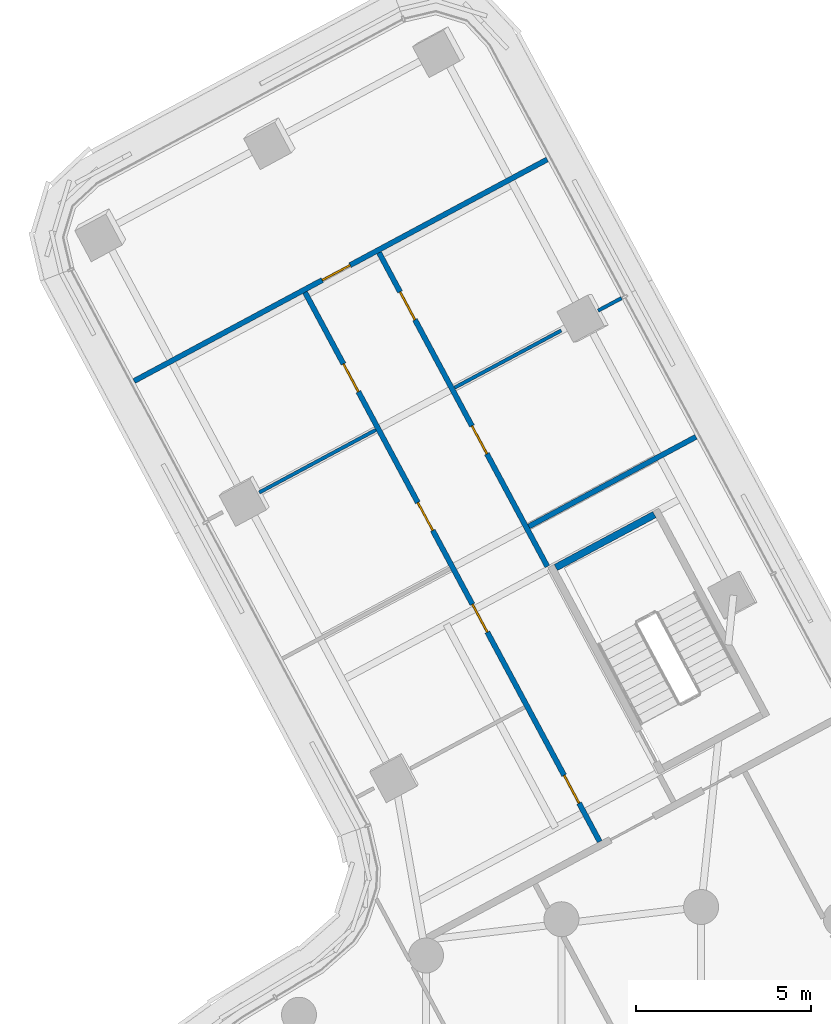
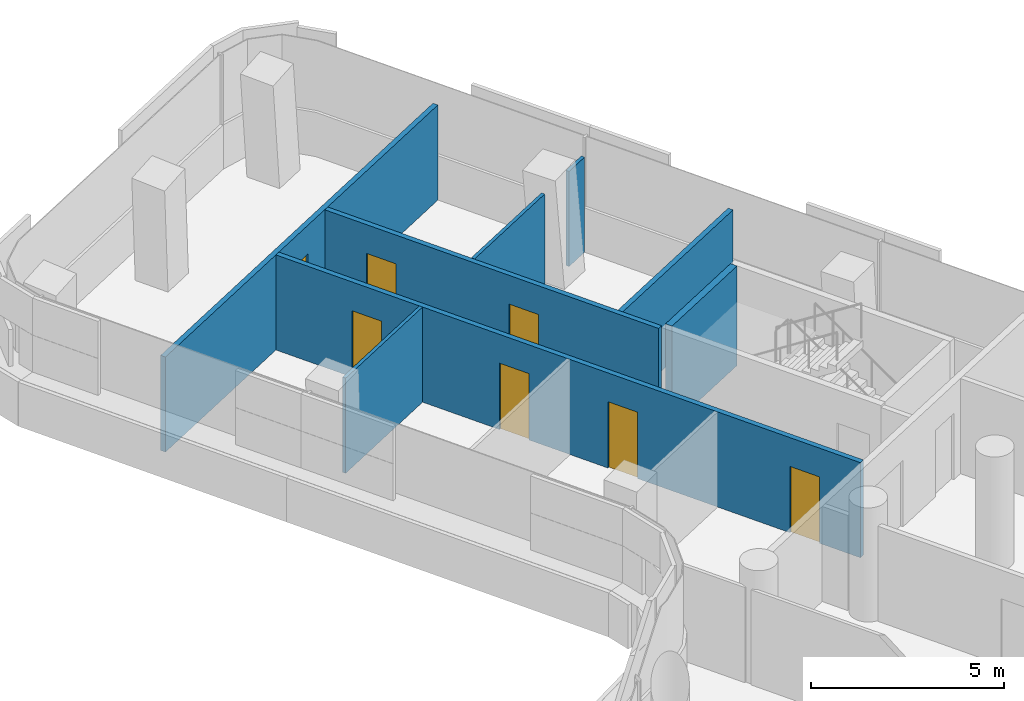
# One storey, part 23 of 33: 8 walls, 7 doors, 7 openings.
"""IFC4 building model written with IfcOpenShell, lengths in metres."""

from ifc_helpers import new_model, si_unit, direction, frame, frame_2d, origin, place, context, subcontext, project, spatial, polyline, rectangle, outline, extrude, material, layer, layer_set, type_object, element, fill, save


model = new_model("IFC4")

# Units and contexts
model_context = context("Model", 3, precision=1e-05, world=origin(), true_north=direction((0.0, 1.0)))
body_context = subcontext(model_context, "Body", "Model", "MODEL_VIEW")
ifc_project = project(units=[si_unit("LENGTHUNIT", "METRE"), si_unit("AREAUNIT", "SQUARE_METRE"), si_unit("VOLUMEUNIT", "CUBIC_METRE"), si_unit("PLANEANGLEUNIT", "RADIAN"), si_unit("MASSUNIT", "GRAM", prefix="KILO")], contexts=[model_context])

# Site, building, storey
site_placement = place(None, origin())
site = spatial("IfcSite", under=ifc_project, at=site_placement, CompositionType="ELEMENT")
building_placement = place(site_placement, origin())
building = spatial("IfcBuilding", under=site, at=building_placement, Name="Tamarind Cross Interchange Tower", CompositionType="ELEMENT")
storey_placement = place(building_placement, frame((0.0, 0.0, 136.75)))
storey = spatial("IfcBuildingStorey", under=building, at=storey_placement, Name="L33", CompositionType="ELEMENT", Elevation=136.75)

# Walls
ifc_material_1 = material(Name="Gypsum board partition on steel studs", Category="steel")
ifc_layer_1 = layer(ifc_material_1, 0.10009765625)
ifc_layer_set_1 = layer_set([ifc_layer_1], Name="Gypsum board partition on steel studs")
wall_type_1 = type_object("IfcWallType", Name="Partition 100 mm EI 90", PredefinedType="PARTITIONING", material=ifc_layer_set_1)
wall_1_placement = place(storey_placement, frame((-12.634033203125, 34.854248046875, 0.0), z_axis=(0.0, 0.0, 1.0), x_axis=(0.881172729626, 0.47279448026, 0.0)))
element("IfcWall", 1, at=wall_1_placement, inside=storey, type_object=wall_type_1, Name="Partition L33-046", PredefinedType="PARTITIONING", context=body_context, shape_type="SweptSolid", body=[
    extrude(rectangle(XDim=3.782470703125, YDim=0.10009765625, at=frame_2d((1.89111328125, 0.0))), origin(), (0.0, 0.0, 1.0), 3.010009765625),
])
wall_2_placement = place(storey_placement, frame((-7.0498046875, 37.850341796875, 0.0), z_axis=(0.0, 0.0, 1.0), x_axis=(0.881190372193, 0.472761597377, 0.0)))
element("IfcWall", 2, at=wall_2_placement, inside=storey, type_object=wall_type_1, Name="Partition L33-047", PredefinedType="PARTITIONING", context=body_context, shape_type="SweptSolid", body=[
    extrude(rectangle(XDim=3.4609375, YDim=0.10009765625, at=frame_2d((1.73046875, 0.0))), origin(), (0.0, 0.0, 1.0), 3.010009765625),
])
wall_3_placement = place(storey_placement, frame((-2.947265625, 40.051513671875, 0.0), z_axis=(0.0, 0.0, 1.0), x_axis=(0.881199268114, 0.472745015707, 0.0)))
element("IfcWall", 3, at=wall_3_placement, inside=storey, type_object=wall_type_1, Name="Partition L33-048", PredefinedType="PARTITIONING", context=body_context, shape_type="SweptSolid", body=[
    extrude(rectangle(XDim=0.76318359375, YDim=0.10009765625, at=frame_2d((0.381591796875, 0.0))), origin(), (0.0, 0.0, 1.0), 3.010009765625),
])

# Wall, openings, doors
ifc_layer_2 = layer(ifc_material_1, 0.14990234375)
ifc_layer_set_2 = layer_set([ifc_layer_2], Name="Gypsum board partition on steel studs")
wall_type_2 = type_object("IfcWallType", Name="Partition 150 mm EI 120", PredefinedType="PARTITIONING", material=ifc_layer_set_2)
wall_4_placement = place(storey_placement, frame((-11.326416015625, 40.576904296875, 0.0), z_axis=(0.0, 0.0, 1.0), x_axis=(0.472718875853, -0.881213291101, 0.0)))
wall_4 = element("IfcWall", 4, at=wall_4_placement, inside=storey, type_object=wall_type_2, Name="Partition L33-007", PredefinedType="PARTITIONING", context=body_context, shape_type="SweptSolid", body=[
    extrude(rectangle(XDim=17.82470703125, YDim=0.14990234375, at=frame_2d((8.912353515625, 0.0))), origin(), (0.0, 0.0, 1.0), 3.010009765625),
])
opening_1_placement = place(wall_4_placement, frame((15.67431640625, 0.0, 0.0)))
opening_1 = element("IfcOpeningElement", 5, at=opening_1_placement, cuts=wall_4, Name="Opening D03", PredefinedType="OPENING", context=body_context, shape_type="SweptSolid", body=[
    extrude(rectangle(XDim=0.89990234375, YDim=2.10009765625, at=frame_2d((0.449951171875, 1.050048828125))), frame((0.0, 0.0849609375, 0.0), z_axis=(0.0, -1.0, 0.0), x_axis=(1.0, 0.0, 0.0)), (0.0, 0.0, 1.0), 0.169921875),
])
opening_2_placement = place(wall_4_placement, frame((10.124755859375, 0.0, 0.0)))
opening_2 = element("IfcOpeningElement", 6, at=opening_2_placement, cuts=wall_4, Name="Opening D04", PredefinedType="OPENING", context=body_context, shape_type="SweptSolid", body=[
    extrude(rectangle(XDim=0.89990234375, YDim=2.10009765625, at=frame_2d((0.449951171875, 1.050048828125))), frame((0.0, 0.0849609375, 0.0), z_axis=(0.0, -1.0, 0.0), x_axis=(1.0, 0.0, 0.0)), (0.0, 0.0, 1.0), 0.169921875),
])
opening_3_placement = place(wall_4_placement, frame((6.824462890625, 0.0, 0.0)))
opening_3 = element("IfcOpeningElement", 7, at=opening_3_placement, cuts=wall_4, Name="Opening D05", PredefinedType="OPENING", context=body_context, shape_type="SweptSolid", body=[
    extrude(rectangle(XDim=0.89990234375, YDim=2.10009765625, at=frame_2d((0.449951171875, 1.050048828125))), frame((0.0, 0.0849609375, 0.0), z_axis=(0.0, -1.0, 0.0), x_axis=(1.0, 0.0, 0.0)), (0.0, 0.0, 1.0), 0.169921875),
])
opening_4_placement = place(wall_4_placement, frame((2.324951171875, 0.0, 0.0)))
opening_4 = element("IfcOpeningElement", 8, at=opening_4_placement, cuts=wall_4, Name="Opening D06", PredefinedType="OPENING", context=body_context, shape_type="SweptSolid", body=[
    extrude(rectangle(XDim=0.89990234375, YDim=2.10009765625, at=frame_2d((0.449951171875, 1.050048828125))), frame((0.0, 0.0849609375, 0.0), z_axis=(0.0, -1.0, 0.0), x_axis=(1.0, 0.0, 0.0)), (0.0, 0.0, 1.0), 0.169921875),
])
ifc_material_2 = material(Name="Fire-resisting door set")
door_type = type_object("IfcDoorType", Name="Interior door 900 x 2100 FD60S", OperationType="SINGLE_SWING_LEFT", PredefinedType="DOOR", material=ifc_material_2)
door_1_placement = place(opening_1_placement, frame((0.89990234375, 0.0, 0.0), z_axis=(0.0, 0.0, 1.0), x_axis=(-1.0, 0.0, 0.0)))
door_1 = element("IfcDoor", 9, at=door_1_placement, inside=storey, type_object=door_type, Name="Door D03", OperationType="SINGLE_SWING_RIGHT", OverallHeight=2.10009765625, OverallWidth=0.89990234375, PredefinedType="DOOR", context=body_context, shape_type="SweptSolid", body=[
    extrude(rectangle(XDim=0.89990234375, YDim=2.10009765625, at=frame_2d((0.449951171875, 1.050048828125))), frame((0.0, 0.02490234375, 0.0), z_axis=(0.0, -1.0, 0.0), x_axis=(1.0, 0.0, 0.0)), (0.0, 0.0, 1.0), 0.050048828125),
])
fill(opening_1, door_1)
door_2_placement = place(opening_2_placement, frame((0.89990234375, 0.0, 0.0), z_axis=(0.0, 0.0, 1.0), x_axis=(-1.0, 0.0, 0.0)))
door_2 = element("IfcDoor", 10, at=door_2_placement, inside=storey, type_object=door_type, Name="Door D04", OperationType="SINGLE_SWING_RIGHT", OverallHeight=2.10009765625, OverallWidth=0.89990234375, PredefinedType="DOOR", context=body_context, shape_type="SweptSolid", body=[
    extrude(rectangle(XDim=0.89990234375, YDim=2.10009765625, at=frame_2d((0.449951171875, 1.050048828125))), frame((0.0, 0.02490234375, 0.0), z_axis=(0.0, -1.0, 0.0), x_axis=(1.0, 0.0, 0.0)), (0.0, 0.0, 1.0), 0.050048828125),
])
fill(opening_2, door_2)
door_3_placement = place(opening_3_placement, frame((0.89990234375, 0.0, 0.0), z_axis=(0.0, 0.0, 1.0), x_axis=(-1.0, 0.0, 0.0)))
door_3 = element("IfcDoor", 11, at=door_3_placement, inside=storey, type_object=door_type, Name="Door D05", OperationType="SINGLE_SWING_LEFT", OverallHeight=2.10009765625, OverallWidth=0.89990234375, PredefinedType="DOOR", context=body_context, shape_type="SweptSolid", body=[
    extrude(rectangle(XDim=0.89990234375, YDim=2.10009765625, at=frame_2d((0.449951171875, 1.050048828125))), frame((0.0, 0.02490234375, 0.0), z_axis=(0.0, -1.0, 0.0), x_axis=(1.0, 0.0, 0.0)), (0.0, 0.0, 1.0), 0.050048828125),
])
fill(opening_3, door_3)
door_4_placement = place(opening_4_placement, frame((0.89990234375, 0.0, 0.0), z_axis=(0.0, 0.0, 1.0), x_axis=(-1.0, 0.0, 0.0)))
door_4 = element("IfcDoor", 12, at=door_4_placement, inside=storey, type_object=door_type, Name="Door D06", OperationType="SINGLE_SWING_LEFT", OverallHeight=2.10009765625, OverallWidth=0.89990234375, PredefinedType="DOOR", context=body_context, shape_type="SweptSolid", body=[
    extrude(rectangle(XDim=0.89990234375, YDim=2.10009765625, at=frame_2d((0.449951171875, 1.050048828125))), frame((0.0, 0.02490234375, 0.0), z_axis=(0.0, -1.0, 0.0), x_axis=(1.0, 0.0, 0.0)), (0.0, 0.0, 1.0), 0.050048828125),
])
fill(opening_4, door_4)

wall_5_placement = place(storey_placement, frame((-9.209228515625, 41.70751953125, 0.0), z_axis=(0.0, 0.0, 1.0), x_axis=(0.472673263757, -0.881237757775, 0.0)))
wall_5 = element("IfcWall", 13, at=wall_5_placement, inside=storey, type_object=wall_type_2, Name="Partition L33-012", PredefinedType="PARTITIONING", context=body_context, shape_type="SweptSolid", body=[
    extrude(rectangle(XDim=10.179443359375, YDim=0.14990234375, at=frame_2d((5.08984375, 0.0))), origin(), (0.0, 0.0, 1.0), 3.010009765625),
])
opening_5_placement = place(wall_5_placement, frame((5.620361328125, 0.0, 0.0)))
opening_5 = element("IfcOpeningElement", 14, at=opening_5_placement, cuts=wall_5, Name="Opening D09", PredefinedType="OPENING", context=body_context, shape_type="SweptSolid", body=[
    extrude(rectangle(XDim=0.89990234375, YDim=2.10009765625, at=frame_2d((0.449951171875, 1.050048828125))), frame((0.0, 0.0849609375, 0.0), z_axis=(0.0, -1.0, 0.0), x_axis=(1.0, 0.0, 0.0)), (0.0, 0.0, 1.0), 0.169921875),
])
opening_6_placement = place(wall_5_placement, frame((1.27001953125, 0.0, 0.0)))
opening_6 = element("IfcOpeningElement", 15, at=opening_6_placement, cuts=wall_5, Name="Opening D10", PredefinedType="OPENING", context=body_context, shape_type="SweptSolid", body=[
    extrude(rectangle(XDim=0.89990234375, YDim=2.10009765625, at=frame_2d((0.449951171875, 1.050048828125))), frame((0.0, 0.0849609375, 0.0), z_axis=(0.0, -1.0, 0.0), x_axis=(1.0, 0.0, 0.0)), (0.0, 0.0, 1.0), 0.169921875),
])
door_5_placement = place(opening_5_placement, origin())
door_5 = element("IfcDoor", 16, at=door_5_placement, inside=storey, type_object=door_type, Name="Door D09", OperationType="SINGLE_SWING_LEFT", OverallHeight=2.10009765625, OverallWidth=0.89990234375, PredefinedType="DOOR", context=body_context, shape_type="SweptSolid", body=[
    extrude(rectangle(XDim=0.89990234375, YDim=2.10009765625, at=frame_2d((0.449951171875, 1.050048828125))), frame((0.0, 0.02490234375, 0.0), z_axis=(0.0, -1.0, 0.0), x_axis=(1.0, 0.0, 0.0)), (0.0, 0.0, 1.0), 0.050048828125),
])
fill(opening_5, door_5)
door_6_placement = place(opening_6_placement, origin())
door_6 = element("IfcDoor", 17, at=door_6_placement, inside=storey, type_object=door_type, Name="Door D10", OperationType="SINGLE_SWING_RIGHT", OverallHeight=2.10009765625, OverallWidth=0.89990234375, PredefinedType="DOOR", context=body_context, shape_type="SweptSolid", body=[
    extrude(rectangle(XDim=0.89990234375, YDim=2.10009765625, at=frame_2d((0.449951171875, 1.050048828125))), frame((0.0, 0.02490234375, 0.0), z_axis=(0.0, -1.0, 0.0), x_axis=(1.0, 0.0, 0.0)), (0.0, 0.0, 1.0), 0.050048828125),
])
fill(opening_6, door_6)

# Wall, opening, door
wall_6_placement = place(storey_placement, frame((-16.21435546875, 38.040283203125, 0.0), z_axis=(0.0, 0.0, 1.0), x_axis=(0.881234283805, 0.472679740465, 0.0)))
wall_6 = element("IfcWall", 18, at=wall_6_placement, inside=storey, type_object=wall_type_2, Name="Partition L33-044", PredefinedType="PARTITIONING", context=body_context, shape_type="SweptSolid", body=[
    extrude(rectangle(XDim=13.4052734375, YDim=0.14990234375, at=frame_2d((6.70263671875, 0.0))), origin(), (0.0, 0.0, 1.0), 3.010009765625),
])
opening_7_placement = place(wall_6_placement, frame((6.106201171875, 0.0, 0.0)))
opening_7 = element("IfcOpeningElement", 19, at=opening_7_placement, cuts=wall_6, Name="Opening D33", PredefinedType="OPENING", context=body_context, shape_type="SweptSolid", body=[
    extrude(rectangle(XDim=0.89990234375, YDim=2.10009765625, at=frame_2d((0.449951171875, 1.050048828125))), frame((0.0, 0.0849609375, 0.0), z_axis=(0.0, -1.0, 0.0), x_axis=(1.0, 0.0, 0.0)), (0.0, 0.0, 1.0), 0.169921875),
])
door_7_placement = place(opening_7_placement, origin())
door_7 = element("IfcDoor", 20, at=door_7_placement, inside=storey, type_object=door_type, Name="Door D33", OperationType="SINGLE_SWING_RIGHT", OverallHeight=2.10009765625, OverallWidth=0.89990234375, PredefinedType="DOOR", context=body_context, shape_type="SweptSolid", body=[
    extrude(rectangle(XDim=0.89990234375, YDim=2.10009765625, at=frame_2d((0.449951171875, 1.050048828125))), frame((0.0, 0.02490234375, 0.0), z_axis=(0.0, -1.0, 0.0), x_axis=(1.0, 0.0, 0.0)), (0.0, 0.0, 1.0), 0.050048828125),
])
fill(opening_7, door_7)

# Walls
wall_7_placement = place(storey_placement, frame((-4.926513671875, 33.8818359375, 0.0), z_axis=(0.0, 0.0, 1.0), x_axis=(0.881287849363, 0.472579862632, 0.0)))
element("IfcWall", 21, at=wall_7_placement, inside=storey, type_object=wall_type_2, Name="Partition L33-051", PredefinedType="PARTITIONING", context=body_context, shape_type="SweptSolid", body=[
    extrude(rectangle(XDim=5.423828125, YDim=0.14990234375, at=frame_2d((2.7119140625, 0.0))), origin(), (0.0, 0.0, 1.0), 3.010009765625),
])
ifc_material_3 = material(Name="Concrete C40", Category="concrete")
ifc_layer_3 = layer(ifc_material_3, 0.199951171875)
ifc_layer_set_3 = layer_set([ifc_layer_3], Name="Concrete C40")
wall_type_3 = type_object("IfcWallType", Name="Stair shaft wall 200 mm Concrete C40", PredefinedType="SHEAR", material=ifc_layer_set_3)
wall_8_placement = place(storey_placement, frame((0.0, 0.0, -0.139892578125)))
element("IfcWall", 22, at=wall_8_placement, inside=storey, type_object=wall_type_3, Name="Core wall CWL-L33-ST4-CF", PredefinedType="SHEAR", context=body_context, shape_type="SweptSolid", body=[
    extrude(outline(polyline([(-1.287841796875, 34.132080078125), (-1.38232421875, 34.30859375), (-4.202392578125, 32.7958984375), (-4.10791015625, 32.61962890625), (-1.287841796875, 34.132080078125)])), origin(), (0.0, 0.0, 1.0), 3.14990234375),
])

save(model, "model.ifc")
